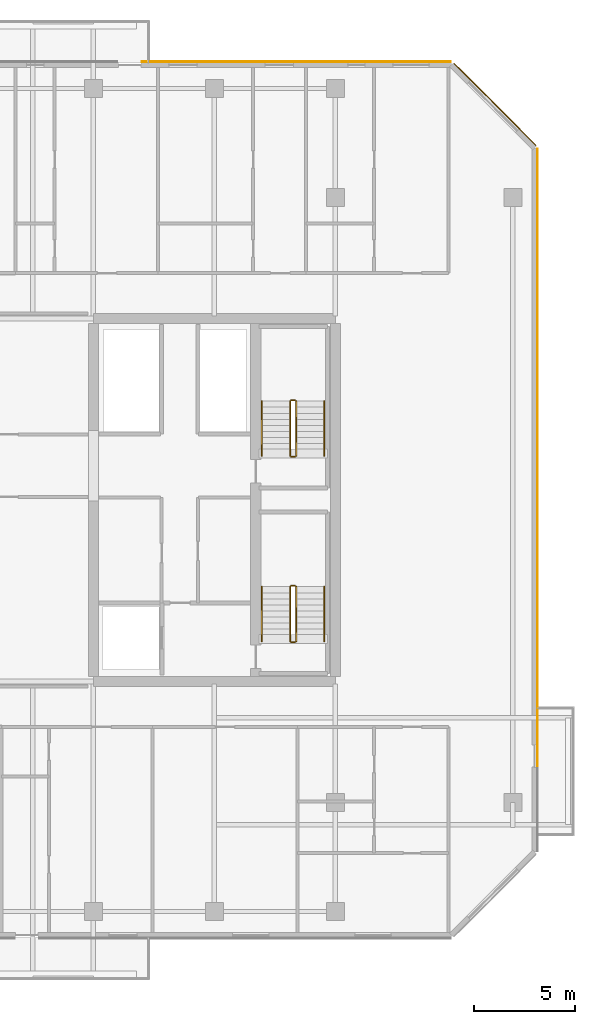
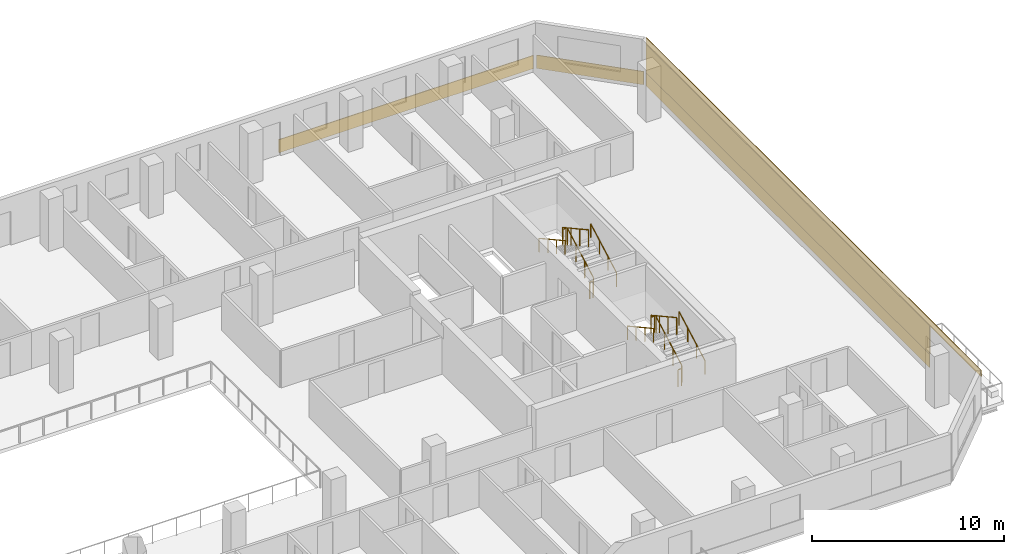
# One storey, part 19 of 19: 12 railings, 5 coverings.
"""IFC4 building model written with IfcOpenShell, lengths in metres."""

from ifc_helpers import new_model, si_unit, direction, frame, origin, origin_2d, place, context, subcontext, project, spatial, rectangle, extrude, material, layer, layer_set, type_object, element, save


model = new_model("IFC4")

# Units and contexts
model_context = context("Model", 3, precision=1e-05, world=origin(), true_north=direction((0.0, 1.0)))
body_context = subcontext(model_context, "Body", "Model", "MODEL_VIEW")
ifc_project = project(units=[si_unit("LENGTHUNIT", "METRE"), si_unit("AREAUNIT", "SQUARE_METRE"), si_unit("VOLUMEUNIT", "CUBIC_METRE"), si_unit("PLANEANGLEUNIT", "RADIAN"), si_unit("MASSUNIT", "GRAM", prefix="KILO")], contexts=[model_context])

# Site, building, storey
site_placement = place(None, origin())
site = spatial("IfcSite", under=ifc_project, at=site_placement, CompositionType="ELEMENT")
building_placement = place(site_placement, origin())
building = spatial("IfcBuilding", under=site, at=building_placement, Name="Tanjung Sevakor Pilgrim Tower", CompositionType="ELEMENT")
storey_placement = place(building_placement, frame((0.0, 0.0, 132.0)))
storey = spatial("IfcBuildingStorey", under=building, at=storey_placement, Name="L36", CompositionType="ELEMENT", Elevation=132.0)

# Coverings
ifc_material_1 = material(Name="Reconstructed Limestone Cladding", Category="masonry")
ifc_layer = layer(ifc_material_1, 0.044921875)
ifc_layer_set = layer_set([ifc_layer], Name="COV-CLAD-LIMESTONE")
covering_type = type_object("IfcCoveringType", Name="COV-CLAD-LIMESTONE", PredefinedType="CLADDING", material=ifc_layer_set)
covering_1_placement = place(storey_placement, frame((100.0224609375, 36.259033203125, 0.009765625), z_axis=(0.0, 0.0, 1.0), x_axis=(0.0, 1.0, 0.0)))
element("IfcCovering", 1, at=covering_1_placement, inside=storey, type_object=covering_type, Name="L36 Warm Limestone Sill Spandrel EW-L36-MAIN-7-2", PredefinedType="CLADDING", context=body_context, shape_type="SweptSolid", body=[
    extrude(rectangle(XDim=29.498291015625, YDim=0.044921875, at=origin_2d()), origin(), (0.0, 0.0, 1.0), 0.840087890625),
])
covering_2_placement = place(storey_placement, frame((100.0224609375, 33.60009765625, 2.66015625), z_axis=(0.0, 0.0, 1.0), x_axis=(0.0, 1.0, 0.0)))
element("IfcCovering", 2, at=covering_2_placement, inside=storey, type_object=covering_type, Name="L36 Warm Limestone Cornice Spandrel EW-L36-MAIN-7", PredefinedType="CLADDING", context=body_context, shape_type="SweptSolid", body=[
    extrude(rectangle(XDim=34.8564453125, YDim=0.044921875, at=origin_2d()), origin(), (0.0, 0.0, 1.0), 0.409912109375),
])
covering_3_placement = place(storey_placement, frame((100.0224609375, 36.254150390625, 0.849853515625), z_axis=(0.0, 0.0, 1.0), x_axis=(0.0, 1.0, 0.0)))
element("IfcCovering", 3, at=covering_3_placement, inside=storey, type_object=covering_type, Name="L36 Warm Limestone Pier Panel EW-L36-MAIN-7-1", PredefinedType="CLADDING", context=body_context, shape_type="SweptSolid", body=[
    extrude(rectangle(XDim=29.50830078125, YDim=0.044921875, at=origin_2d()), origin(), (0.0, 0.0, 1.0), 1.81005859375),
])
covering_4_placement = place(storey_placement, frame((97.916015625, 53.2158203125, 0.009765625), z_axis=(0.0, 0.0, 1.0), x_axis=(-0.707106781187, 0.707106781187, 0.0)))
element("IfcCovering", 4, at=covering_4_placement, inside=storey, type_object=covering_type, Name="L36 Warm Limestone Sill Spandrel EW-CHM-L36-MAIN-7-1", PredefinedType="CLADDING", context=body_context, shape_type="SweptSolid", body=[
    extrude(rectangle(XDim=5.756103515625, YDim=0.044921875, at=origin_2d()), origin(), (0.0, 0.0, 1.0), 0.840087890625),
])
covering_5_placement = place(storey_placement, frame((88.05908203125, 55.322509765625, 0.009765625), z_axis=(0.0, 0.0, 1.0), x_axis=(-1.0, 0.0, 0.0)))
element("IfcCovering", 5, at=covering_5_placement, inside=storey, type_object=covering_type, Name="L36 Warm Limestone Sill Spandrel EW-L36-MAIN-9-1", PredefinedType="CLADDING", context=body_context, shape_type="SweptSolid", body=[
    extrude(rectangle(XDim=15.298095703125, YDim=0.044921875, at=origin_2d()), origin(), (0.0, 0.0, 1.0), 0.840087890625),
])

# Railings
ifc_material_2 = material(Name="Steel S355J2", Category="steel")
railing_type_1 = type_object("IfcRailingType", Name="RL-STAIR-GUARD", PredefinedType="GUARDRAIL", material=ifc_material_2)
railing_1_placement = place(storey_placement, frame((88.050048828125, 26.60009765625, 0.1650390625)))
element("IfcRailing", 6, at=railing_1_placement, inside=storey, type_object=railing_type_1, Name="L36 TS-E1 stair guard 1", PredefinedType="GUARDRAIL", context=body_context, shape_type="SweptSolid", body=[
    extrude(rectangle(XDim=0.0479, YDim=0.0479), frame((0.0, 0.0, 1.076171875), z_axis=(0.0, 0.876230963923, 0.481891375584), x_axis=(-1.0, 0.0, 0.0)), (0.0, 0.0, 1.0), 3.081298828125),
    extrude(rectangle(XDim=0.042, YDim=0.042), origin(), (0.0, 0.0, 1.0), 1.052001953125),
    extrude(rectangle(XDim=0.042, YDim=0.042), frame((0.0, 0.89990234375, 0.494873046875)), (0.0, 0.0, 1.0), 1.052001953125),
    extrude(rectangle(XDim=0.042, YDim=0.042), frame((0.0, 1.800048828125, 0.989990234375)), (0.0, 0.0, 1.0), 1.052001953125),
    extrude(rectangle(XDim=0.042, YDim=0.042), frame((0.0, 2.699951171875, 1.48486328125)), (0.0, 0.0, 1.0), 1.052001953125),
])
railing_2_placement = place(storey_placement, frame((88.0, 29.35009765625, 1.64990234375)))
element("IfcRailing", 7, at=railing_2_placement, inside=storey, type_object=railing_type_1, Name="L36 TS-E1 stair guard 2", PredefinedType="GUARDRAIL", context=body_context, shape_type="SweptSolid", body=[
    extrude(rectangle(XDim=0.0479, YDim=0.0479), frame((0.0, 0.0, 1.076171875), z_axis=(-1.0, 0.0, 0.0), x_axis=(0.0, -1.0, 0.0)), (0.0, 0.0, 1.0), 0.199951171875),
    extrude(rectangle(XDim=0.042, YDim=0.042), origin(), (0.0, 0.0, 1.0), 1.052001953125),
    extrude(rectangle(XDim=0.042, YDim=0.042), frame((-0.199951171875, 0.0, 0.0)), (0.0, 0.0, 1.0), 1.052001953125),
])
railing_3_placement = place(storey_placement, frame((87.75, 29.300048828125, 1.81494140625)))
element("IfcRailing", 8, at=railing_3_placement, inside=storey, type_object=railing_type_1, Name="L36 TS-E1 stair guard 3", PredefinedType="GUARDRAIL", context=body_context, shape_type="SweptSolid", body=[
    extrude(rectangle(XDim=0.0479, YDim=0.0479), frame((0.0, 0.0, 1.076171875), z_axis=(0.0, -0.876197507361, 0.481952205197), x_axis=(1.0, 0.0, 0.0)), (0.0, 0.0, 1.0), 3.08154296875),
    extrude(rectangle(XDim=0.042, YDim=0.042), origin(), (0.0, 0.0, 1.0), 1.052001953125),
    extrude(rectangle(XDim=0.042, YDim=0.042), frame((0.0, -0.89990234375, 0.4951171875)), (0.0, 0.0, 1.0), 1.052001953125),
    extrude(rectangle(XDim=0.042, YDim=0.042), frame((0.0, -1.800048828125, 0.989990234375)), (0.0, 0.0, 1.0), 1.052001953125),
    extrude(rectangle(XDim=0.042, YDim=0.042), frame((0.0, -2.699951171875, 1.485107421875)), (0.0, 0.0, 1.0), 1.052001953125),
])
railing_4_placement = place(storey_placement, frame((88.0, 26.550048828125, 0.0)))
element("IfcRailing", 9, at=railing_4_placement, inside=storey, type_object=railing_type_1, Name="L36 TS-E1 stair guard 4", PredefinedType="GUARDRAIL", context=body_context, shape_type="SweptSolid", body=[
    extrude(rectangle(XDim=0.0479, YDim=0.0479), frame((0.0, 0.0, 1.076171875), z_axis=(-1.0, 0.0, 0.0), x_axis=(0.0, -1.0, 0.0)), (0.0, 0.0, 1.0), 0.199951171875),
    extrude(rectangle(XDim=0.042, YDim=0.042), origin(), (0.0, 0.0, 1.0), 1.052001953125),
    extrude(rectangle(XDim=0.042, YDim=0.042), frame((-0.199951171875, 0.0, 0.0)), (0.0, 0.0, 1.0), 1.052001953125),
])
railing_5_placement = place(storey_placement, frame((88.050048828125, 35.800048828125, 0.1650390625)))
element("IfcRailing", 10, at=railing_5_placement, inside=storey, type_object=railing_type_1, Name="L36 TS-E2 stair guard 1", PredefinedType="GUARDRAIL", context=body_context, shape_type="SweptSolid", body=[
    extrude(rectangle(XDim=0.0479, YDim=0.0479), frame((0.0, 0.0, 1.076171875), z_axis=(0.0, 0.876230963923, 0.481891375584), x_axis=(-1.0, 0.0, 0.0)), (0.0, 0.0, 1.0), 3.081298828125),
    extrude(rectangle(XDim=0.042, YDim=0.042), origin(), (0.0, 0.0, 1.0), 1.052001953125),
    extrude(rectangle(XDim=0.042, YDim=0.042), frame((0.0, 0.89990234375, 0.494873046875)), (0.0, 0.0, 1.0), 1.052001953125),
    extrude(rectangle(XDim=0.042, YDim=0.042), frame((0.0, 1.800048828125, 0.989990234375)), (0.0, 0.0, 1.0), 1.052001953125),
    extrude(rectangle(XDim=0.042, YDim=0.042), frame((0.0, 2.699951171875, 1.48486328125)), (0.0, 0.0, 1.0), 1.052001953125),
])
railing_6_placement = place(storey_placement, frame((88.0, 38.550048828125, 1.64990234375)))
element("IfcRailing", 11, at=railing_6_placement, inside=storey, type_object=railing_type_1, Name="L36 TS-E2 stair guard 2", PredefinedType="GUARDRAIL", context=body_context, shape_type="SweptSolid", body=[
    extrude(rectangle(XDim=0.0479, YDim=0.0479), frame((0.0, 0.0, 1.076171875), z_axis=(-1.0, 0.0, 0.0), x_axis=(0.0, -1.0, 0.0)), (0.0, 0.0, 1.0), 0.199951171875),
    extrude(rectangle(XDim=0.042, YDim=0.042), origin(), (0.0, 0.0, 1.0), 1.052001953125),
    extrude(rectangle(XDim=0.042, YDim=0.042), frame((-0.199951171875, 0.0, 0.0)), (0.0, 0.0, 1.0), 1.052001953125),
])
railing_7_placement = place(storey_placement, frame((87.75, 38.5, 1.81494140625)))
element("IfcRailing", 12, at=railing_7_placement, inside=storey, type_object=railing_type_1, Name="L36 TS-E2 stair guard 3", PredefinedType="GUARDRAIL", context=body_context, shape_type="SweptSolid", body=[
    extrude(rectangle(XDim=0.0479, YDim=0.0479), frame((0.0, 0.0, 1.076171875), z_axis=(0.0, -0.876197507361, 0.481952205197), x_axis=(1.0, 0.0, 0.0)), (0.0, 0.0, 1.0), 3.08154296875),
    extrude(rectangle(XDim=0.042, YDim=0.042), origin(), (0.0, 0.0, 1.0), 1.052001953125),
    extrude(rectangle(XDim=0.042, YDim=0.042), frame((0.0, -0.89990234375, 0.4951171875)), (0.0, 0.0, 1.0), 1.052001953125),
    extrude(rectangle(XDim=0.042, YDim=0.042), frame((0.0, -1.800048828125, 0.989990234375)), (0.0, 0.0, 1.0), 1.052001953125),
    extrude(rectangle(XDim=0.042, YDim=0.042), frame((0.0, -2.699951171875, 1.485107421875)), (0.0, 0.0, 1.0), 1.052001953125),
])
railing_8_placement = place(storey_placement, frame((88.0, 35.75, 0.0)))
element("IfcRailing", 13, at=railing_8_placement, inside=storey, type_object=railing_type_1, Name="L36 TS-E2 stair guard 4", PredefinedType="GUARDRAIL", context=body_context, shape_type="SweptSolid", body=[
    extrude(rectangle(XDim=0.0479, YDim=0.0479), frame((0.0, 0.0, 1.076171875), z_axis=(-1.0, 0.0, 0.0), x_axis=(0.0, -1.0, 0.0)), (0.0, 0.0, 1.0), 0.199951171875),
    extrude(rectangle(XDim=0.042, YDim=0.042), origin(), (0.0, 0.0, 1.0), 1.052001953125),
    extrude(rectangle(XDim=0.042, YDim=0.042), frame((-0.199951171875, 0.0, 0.0)), (0.0, 0.0, 1.0), 1.052001953125),
])
ifc_material_3 = material(Name="Steel S355J2", Category="steel")
railing_type_2 = type_object("IfcRailingType", Name="RL-STAIR-HAND", PredefinedType="HANDRAIL", material=ifc_material_3)
railing_9_placement = place(storey_placement, frame((89.449951171875, 26.60009765625, 0.1650390625)))
element("IfcRailing", 14, at=railing_9_placement, inside=storey, type_object=railing_type_2, Name="L36 TS-E1 stair handrail 1", PredefinedType="HANDRAIL", context=body_context, shape_type="SweptSolid", body=[
    extrude(rectangle(XDim=0.0479, YDim=0.0479), frame((0.0, 0.0, 0.8759765625), z_axis=(0.0, 0.876230963923, 0.481891375584), x_axis=(-1.0, 0.0, 0.0)), (0.0, 0.0, 1.0), 3.081298828125),
    extrude(rectangle(XDim=0.042, YDim=0.042), origin(), (0.0, 0.0, 1.0), 0.851806640625),
    extrude(rectangle(XDim=0.042, YDim=0.042), frame((0.0, 0.89990234375, 0.494873046875)), (0.0, 0.0, 1.0), 0.851806640625),
    extrude(rectangle(XDim=0.042, YDim=0.042), frame((0.0, 1.800048828125, 0.989990234375)), (0.0, 0.0, 1.0), 0.851806640625),
    extrude(rectangle(XDim=0.042, YDim=0.042), frame((0.0, 2.699951171875, 1.48486328125)), (0.0, 0.0, 1.0), 0.851806640625),
])
railing_10_placement = place(storey_placement, frame((86.35009765625, 29.300048828125, 1.81494140625)))
element("IfcRailing", 15, at=railing_10_placement, inside=storey, type_object=railing_type_2, Name="L36 TS-E1 stair handrail 2", PredefinedType="HANDRAIL", context=body_context, shape_type="SweptSolid", body=[
    extrude(rectangle(XDim=0.0479, YDim=0.0479), frame((0.0, 0.0, 0.8759765625), z_axis=(0.0, -0.876197507361, 0.481952205197), x_axis=(1.0, 0.0, 0.0)), (0.0, 0.0, 1.0), 3.08154296875),
    extrude(rectangle(XDim=0.042, YDim=0.042), origin(), (0.0, 0.0, 1.0), 0.851806640625),
    extrude(rectangle(XDim=0.042, YDim=0.042), frame((0.0, -0.89990234375, 0.4951171875)), (0.0, 0.0, 1.0), 0.851806640625),
    extrude(rectangle(XDim=0.042, YDim=0.042), frame((0.0, -1.800048828125, 0.989990234375)), (0.0, 0.0, 1.0), 0.851806640625),
    extrude(rectangle(XDim=0.042, YDim=0.042), frame((0.0, -2.699951171875, 1.485107421875)), (0.0, 0.0, 1.0), 0.851806640625),
])
railing_11_placement = place(storey_placement, frame((89.449951171875, 35.800048828125, 0.1650390625)))
element("IfcRailing", 16, at=railing_11_placement, inside=storey, type_object=railing_type_2, Name="L36 TS-E2 stair handrail 1", PredefinedType="HANDRAIL", context=body_context, shape_type="SweptSolid", body=[
    extrude(rectangle(XDim=0.0479, YDim=0.0479), frame((0.0, 0.0, 0.8759765625), z_axis=(0.0, 0.876230963923, 0.481891375584), x_axis=(-1.0, 0.0, 0.0)), (0.0, 0.0, 1.0), 3.081298828125),
    extrude(rectangle(XDim=0.042, YDim=0.042), origin(), (0.0, 0.0, 1.0), 0.851806640625),
    extrude(rectangle(XDim=0.042, YDim=0.042), frame((0.0, 0.89990234375, 0.494873046875)), (0.0, 0.0, 1.0), 0.851806640625),
    extrude(rectangle(XDim=0.042, YDim=0.042), frame((0.0, 1.800048828125, 0.989990234375)), (0.0, 0.0, 1.0), 0.851806640625),
    extrude(rectangle(XDim=0.042, YDim=0.042), frame((0.0, 2.699951171875, 1.48486328125)), (0.0, 0.0, 1.0), 0.851806640625),
])
railing_12_placement = place(storey_placement, frame((86.35009765625, 38.5, 1.81494140625)))
element("IfcRailing", 17, at=railing_12_placement, inside=storey, type_object=railing_type_2, Name="L36 TS-E2 stair handrail 2", PredefinedType="HANDRAIL", context=body_context, shape_type="SweptSolid", body=[
    extrude(rectangle(XDim=0.0479, YDim=0.0479), frame((0.0, 0.0, 0.8759765625), z_axis=(0.0, -0.876197507361, 0.481952205197), x_axis=(1.0, 0.0, 0.0)), (0.0, 0.0, 1.0), 3.08154296875),
    extrude(rectangle(XDim=0.042, YDim=0.042), origin(), (0.0, 0.0, 1.0), 0.851806640625),
    extrude(rectangle(XDim=0.042, YDim=0.042), frame((0.0, -0.89990234375, 0.4951171875)), (0.0, 0.0, 1.0), 0.851806640625),
    extrude(rectangle(XDim=0.042, YDim=0.042), frame((0.0, -1.800048828125, 0.989990234375)), (0.0, 0.0, 1.0), 0.851806640625),
    extrude(rectangle(XDim=0.042, YDim=0.042), frame((0.0, -2.699951171875, 1.485107421875)), (0.0, 0.0, 1.0), 0.851806640625),
])

save(model, "model.ifc")
